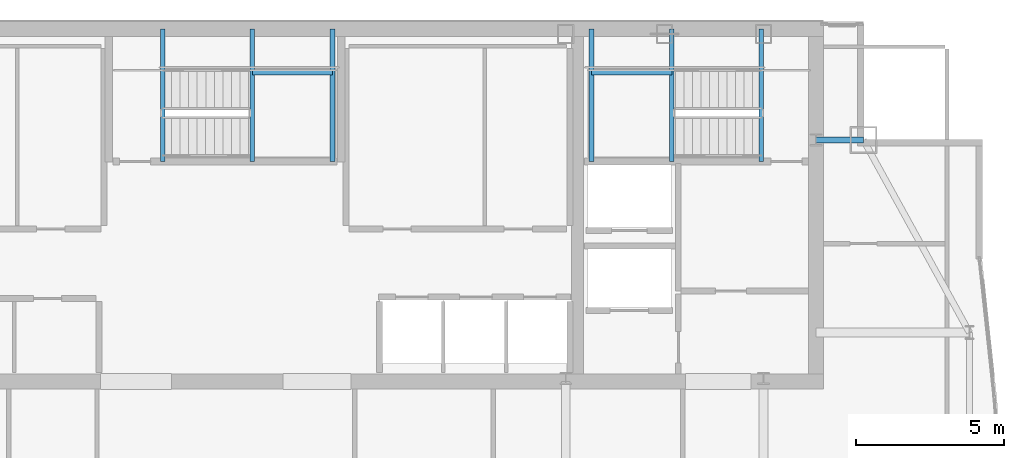
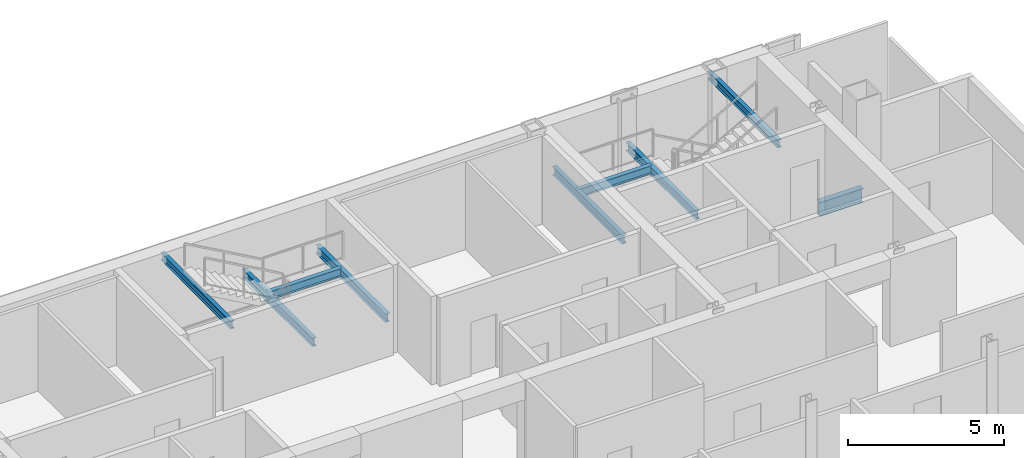
# One storey, part 19 of 27: 9 beams.
"""IFC4 building model written with IfcOpenShell, lengths in metres."""

from ifc_helpers import new_model, si_unit, direction, frame, origin, origin_2d, place, context, subcontext, project, spatial, i_section, extrude, material, material_profile, profile_set, type_object, element, save


model = new_model("IFC4")

# Units and contexts
model_context = context("Model", 3, precision=1e-05, world=origin(), true_north=direction((0.0, 1.0)))
body_context = subcontext(model_context, "Body", "Model", "MODEL_VIEW")
ifc_project = project(units=[si_unit("LENGTHUNIT", "METRE"), si_unit("AREAUNIT", "SQUARE_METRE"), si_unit("VOLUMEUNIT", "CUBIC_METRE"), si_unit("PLANEANGLEUNIT", "RADIAN"), si_unit("MASSUNIT", "GRAM", prefix="KILO")], contexts=[model_context])

# Site, building, storey
site_placement = place(None, origin())
site = spatial("IfcSite", under=ifc_project, at=site_placement, CompositionType="ELEMENT")
building_placement = place(site_placement, origin())
building = spatial("IfcBuilding", under=site, at=building_placement, Name="Khoronbel Lancet Exchange", CompositionType="ELEMENT")
storey_placement = place(building_placement, frame((0.0, 0.0, 343.39990234375)))
storey = spatial("IfcBuildingStorey", under=building, at=storey_placement, Name="L89", CompositionType="ELEMENT", Elevation=343.39990234375)

# Beams
ifc_material = material(Name="Steel S355", Category="steel")
ifc_material_profile_1 = material_profile(ifc_material, i_section(OverallWidth=0.159912109375, OverallDepth=0.330078125, WebThickness=0.007568359375, FlangeThickness=0.011474609375, at=origin_2d()), Name="IPE 330")
ifc_profile_set_1 = profile_set([ifc_material_profile_1], Name="Steel S355")
beam_type_1 = type_object("IfcBeamType", Name="BM-BJ7", PredefinedType="JOIST", material=ifc_profile_set_1)
for number, where, z_axis, x_axis, name in (
    (1, (51.580078125, 48.97998046875, 1.43505859375), (0.0, 1.0, 0.0), (-1.0, 0.0, 0.0), "Level L89 stair ST2 landing bearer beam 1"),
    (2, (48.8701171875, 48.97998046875, 1.43505859375), (0.0, 1.0, 0.0), (-1.0, 0.0, 0.0), "Level L89 stair ST2 rear landing bearer beam 1"),
):
    element("IfcBeam", number, at=place(storey_placement, frame(where, z_axis=z_axis, x_axis=x_axis)), inside=storey, type_object=beam_type_1, Name=name, PredefinedType="JOIST", context=body_context, shape_type="SweptSolid", body=[
        extrude(i_section(OverallWidth=0.159912109375, OverallDepth=0.330078125, WebThickness=0.007568359375, FlangeThickness=0.011474609375, at=origin_2d()), origin(), (0.0, 0.0, 1.0), 4.469970703125),
    ])
beam_1_placement = place(storey_placement, frame((48.8701171875, 51.97998046875, 1.43505859375), z_axis=(1.0, 0.0, 0.0), x_axis=(0.0, 1.0, 0.0)))
element("IfcBeam", 3, at=beam_1_placement, inside=storey, type_object=beam_type_1, Name="Level L89 stair ST2 landing cross trimmer beam 1", PredefinedType="JOIST", context=body_context, shape_type="SweptSolid", body=[
    extrude(i_section(OverallWidth=0.159912109375, OverallDepth=0.330078125, WebThickness=0.007568359375, FlangeThickness=0.011474609375, at=origin_2d()), origin(), (0.0, 0.0, 1.0), 2.7099609375),
])
for number, where, z_axis, x_axis, name in (
    (4, (37.419921875, 48.97998046875, 1.43505859375), (0.0, 1.0, 0.0), (-1.0, 0.0, 0.0), "Level L89 stair ST3 landing bearer beam 1"),
    (5, (40.1298828125, 48.97998046875, 1.43505859375), (0.0, 1.0, 0.0), (-1.0, 0.0, 0.0), "Level L89 stair ST3 rear landing bearer beam 1"),
):
    element("IfcBeam", number, at=place(storey_placement, frame(where, z_axis=z_axis, x_axis=x_axis)), inside=storey, type_object=beam_type_1, Name=name, PredefinedType="JOIST", context=body_context, shape_type="SweptSolid", body=[
        extrude(i_section(OverallWidth=0.159912109375, OverallDepth=0.330078125, WebThickness=0.007568359375, FlangeThickness=0.011474609375, at=origin_2d()), origin(), (0.0, 0.0, 1.0), 4.469970703125),
    ])
beam_2_placement = place(storey_placement, frame((37.419921875, 51.97998046875, 1.43505859375), z_axis=(1.0, 0.0, 0.0), x_axis=(0.0, 1.0, 0.0)))
element("IfcBeam", 6, at=beam_2_placement, inside=storey, type_object=beam_type_1, Name="Level L89 stair ST3 landing cross trimmer beam 1", PredefinedType="JOIST", context=body_context, shape_type="SweptSolid", body=[
    extrude(i_section(OverallWidth=0.159912109375, OverallDepth=0.330078125, WebThickness=0.007568359375, FlangeThickness=0.011474609375, at=origin_2d()), origin(), (0.0, 0.0, 1.0), 2.7099609375),
])
ifc_material_profile_2 = material_profile(ifc_material, i_section(OverallWidth=0.14990234375, OverallDepth=0.300048828125, WebThickness=0.007080078125, FlangeThickness=0.0107421875, at=origin_2d()), Name="IPE 300")
ifc_profile_set_2 = profile_set([ifc_material_profile_2], Name="Steel S355")
beam_type_2 = type_object("IfcBeamType", Name="BM-BJ8", PredefinedType="JOIST", material=ifc_profile_set_2)
for number, where, z_axis, x_axis, name in (
    (7, (54.60009765625, 48.97998046875, 3.16015625), (0.0, 1.0, 0.0), (-1.0, 0.0, 0.0), "Level L89 stair ST2 upper-flight arrival trimmer beam"),
    (8, (34.39990234375, 48.97998046875, 3.16015625), (0.0, 1.0, 0.0), (-1.0, 0.0, 0.0), "Level L89 stair ST3 upper-flight arrival trimmer beam"),
):
    element("IfcBeam", number, at=place(storey_placement, frame(where, z_axis=z_axis, x_axis=x_axis)), inside=storey, type_object=beam_type_2, Name=name, PredefinedType="JOIST", context=body_context, shape_type="SweptSolid", body=[
        extrude(i_section(OverallWidth=0.14990234375, OverallDepth=0.300048828125, WebThickness=0.007080078125, FlangeThickness=0.0107421875, at=origin_2d()), origin(), (0.0, 0.0, 1.0), 4.469970703125),
    ])
ifc_material_profile_3 = material_profile(ifc_material, i_section(OverallWidth=0.2099609375, OverallDepth=0.550048828125, WebThickness=0.010986328125, FlangeThickness=0.01708984375, at=origin_2d()), Name="IPE 550")
ifc_profile_set_3 = profile_set([ifc_material_profile_3], Name="Steel S355")
beam_type_3 = type_object("IfcBeamType", Name="BM-BSP3", PredefinedType="SPANDREL", material=ifc_profile_set_3)
beam_3_placement = place(storey_placement, frame((58.050048828125, 49.699951171875, -0.434814453125), z_axis=(-1.0, 0.0, 0.0), x_axis=(0.0, -1.0, 0.0)))
element("IfcBeam", 9, at=beam_3_placement, inside=storey, type_object=beam_type_3, Name="Level L89 north flank tie spandrel SP21", PredefinedType="SPANDREL", context=body_context, shape_type="SweptSolid", body=[
    extrude(i_section(OverallWidth=0.2099609375, OverallDepth=0.550048828125, WebThickness=0.010986328125, FlangeThickness=0.01708984375, at=origin_2d()), origin(), (0.0, 0.0, 1.0), 1.60009765625),
])

save(model, "model.ifc")
